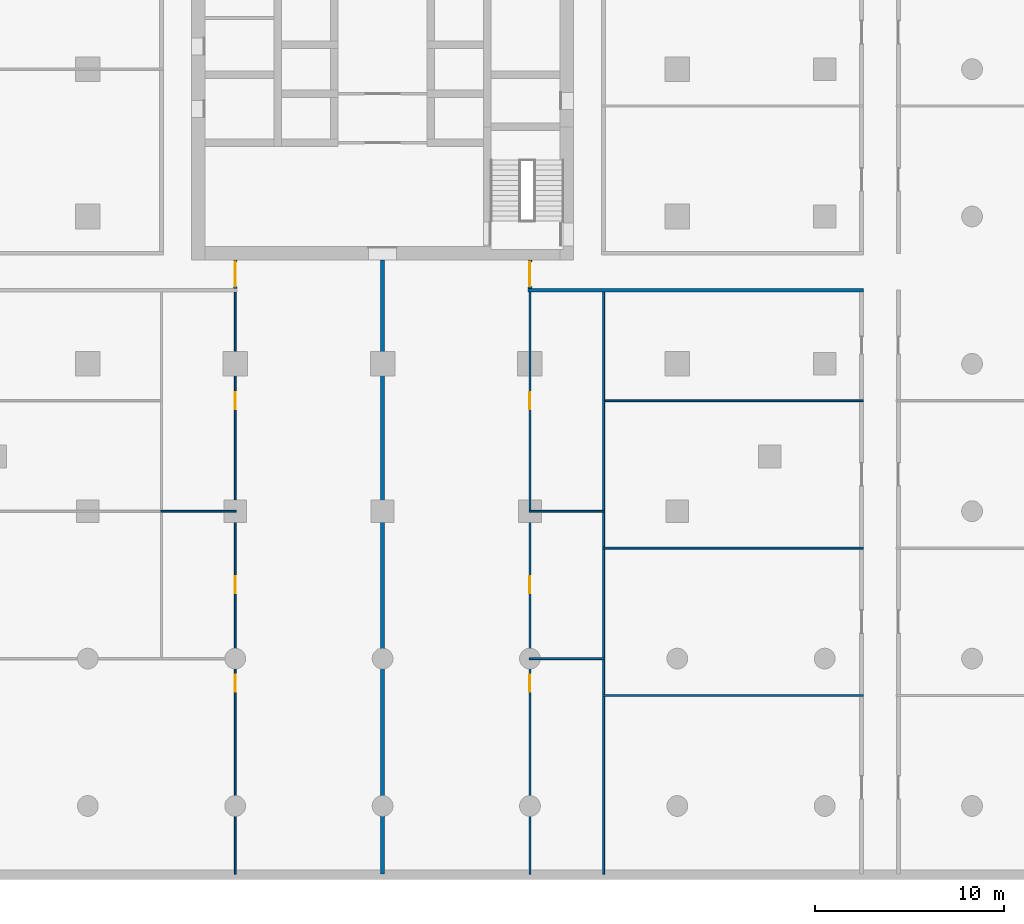
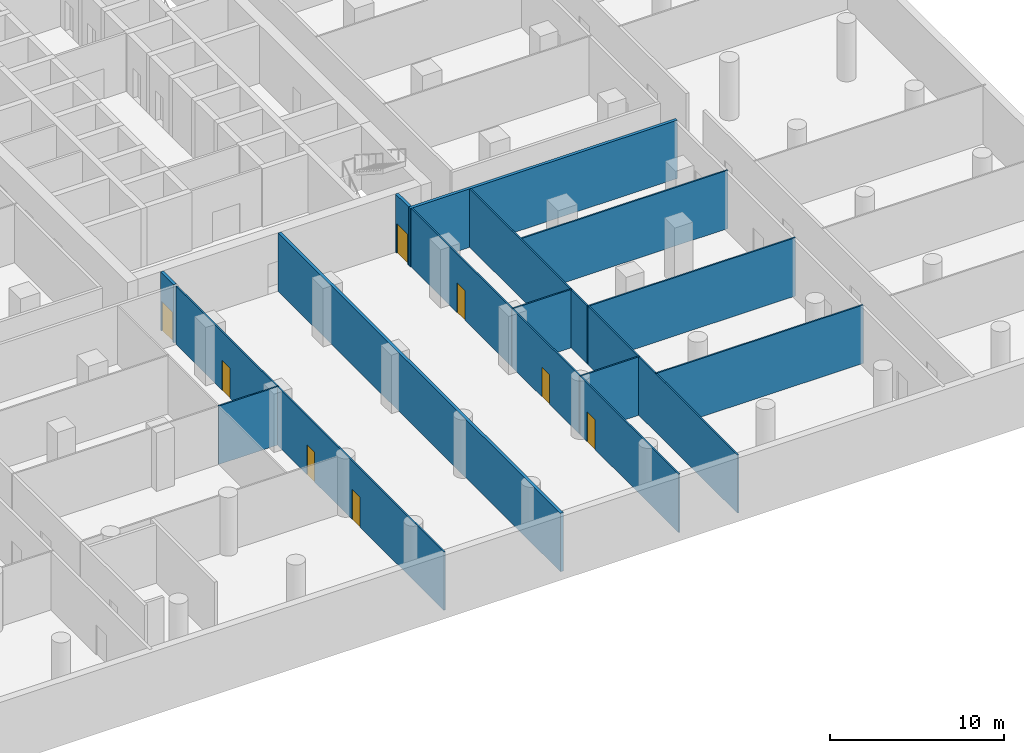
# One storey, part 4 of 14: 15 walls, 8 doors, 8 openings.
"""IFC4 building model written with IfcOpenShell, lengths in metres."""

from ifc_helpers import new_model, si_unit, direction, frame, frame_2d, origin, place, context, subcontext, project, spatial, rectangle, extrude, material, layer, layer_set, type_object, element, fill, save


model = new_model("IFC4")

# Units and contexts
model_context = context("Model", 3, precision=1e-05, world=origin(), true_north=direction((0.0, 1.0)))
body_context = subcontext(model_context, "Body", "Model", "MODEL_VIEW")
ifc_project = project(units=[si_unit("LENGTHUNIT", "METRE"), si_unit("AREAUNIT", "SQUARE_METRE"), si_unit("VOLUMEUNIT", "CUBIC_METRE"), si_unit("PLANEANGLEUNIT", "RADIAN"), si_unit("MASSUNIT", "GRAM", prefix="KILO")], contexts=[model_context])

# Site, building, storey
site_placement = place(None, origin())
site = spatial("IfcSite", under=ifc_project, at=site_placement, CompositionType="ELEMENT")
building_placement = place(site_placement, origin())
building = spatial("IfcBuilding", under=site, at=building_placement, Name="Ludao Terraces", CompositionType="ELEMENT")
storey_placement = place(building_placement, frame((0.0, 0.0, -4.5)))
storey = spatial("IfcBuildingStorey", under=building, at=storey_placement, Name="B1", CompositionType="ELEMENT", Elevation=-4.5)

# Wall
ifc_material_1 = material(Name="Autoclaved aerated concrete block B06 A3.5", Category="concrete")
ifc_layer_1 = layer(ifc_material_1, 0.199951171875)
ifc_layer_set_1 = layer_set([ifc_layer_1], Name="INT Entrance wall 200")
wall_type_1 = type_object("IfcWallType", Name="INT Entrance wall 200", PredefinedType="PARTITIONING", material=ifc_layer_set_1)
wall_1_placement = place(storey_placement, frame((92.7001953125, 53.300048828125, 0.0), z_axis=(0.0, 0.0, 1.0), x_axis=(1.0, 0.0, 0.0)))
element("IfcWall", 1, at=wall_1_placement, inside=storey, type_object=wall_type_1, Name="PW-B1-PW016", PredefinedType="PARTITIONING", context=body_context, shape_type="SweptSolid", body=[
    extrude(rectangle(XDim=17.75, YDim=0.199951171875, at=frame_2d((8.875, 0.0))), origin(), (0.0, 0.0, 1.0), 4.10009765625),
])

# Wall, opening, door
wall_2_placement = place(storey_placement, frame((77.199951171875, 53.400146484375, 0.0), z_axis=(0.0, 0.0, 1.0), x_axis=(0.0, 1.0, 0.0)))
wall_2 = element("IfcWall", 2, at=wall_2_placement, inside=storey, type_object=wall_type_1, Name="PW-B1-PW046", PredefinedType="PARTITIONING", context=body_context, shape_type="SweptSolid", body=[
    extrude(rectangle(XDim=1.5, YDim=0.199951171875, at=frame_2d((0.75, 0.0))), origin(), (0.0, 0.0, 1.0), 4.10009765625),
])
opening_1_placement = place(wall_2_placement, frame((0.10009765625, 0.0, 0.0)))
opening_1 = element("IfcOpeningElement", 3, at=opening_1_placement, cuts=wall_2, Name="Opening B1-023", PredefinedType="OPENING", context=body_context, shape_type="SweptSolid", body=[
    extrude(rectangle(XDim=1.300048828125, YDim=2.10009765625, at=frame_2d((0.64990234375, 1.050048828125))), frame((0.0, 0.10986328125, 0.0), z_axis=(0.0, -1.0, 0.0), x_axis=(1.0, 0.0, 0.0)), (0.0, 0.0, 1.0), 0.219970703125),
])
ifc_material_2 = material(Name="Steel Q235", Category="steel")
door_type_1 = type_object("IfcDoorType", Name="INT Lobby door 1300", OperationType="DOUBLE_DOOR_SINGLE_SWING", PredefinedType="DOOR", material=ifc_material_2)
door_1_placement = place(opening_1_placement, origin())
door_1 = element("IfcDoor", 4, at=door_1_placement, inside=storey, type_object=door_type_1, Name="DOOR 023", OperationType="DOUBLE_DOOR_SINGLE_SWING", OverallHeight=2.10009765625, OverallWidth=1.300048828125, PredefinedType="DOOR", context=body_context, shape_type="SweptSolid", body=[
    extrude(rectangle(XDim=1.300048828125, YDim=2.10009765625, at=frame_2d((0.64990234375, 1.050048828125))), frame((0.0, 0.02490234375, 0.0), z_axis=(0.0, -1.0, 0.0), x_axis=(1.0, 0.0, 0.0)), (0.0, 0.0, 1.0), 0.050048828125),
])
fill(opening_1, door_1)

# Wall
wall_3_placement = place(storey_placement, frame((85.0, 22.400146484375, 0.0), z_axis=(0.0, 0.0, 1.0), x_axis=(0.0, 1.0, 0.0)))
element("IfcWall", 5, at=wall_3_placement, inside=storey, type_object=wall_type_1, Name="PW-B1-PW047", PredefinedType="PARTITIONING", context=body_context, shape_type="SweptSolid", body=[
    extrude(rectangle(XDim=32.5, YDim=0.199951171875, at=frame_2d((16.25, 0.0))), origin(), (0.0, 0.0, 1.0), 4.10009765625),
])

# Wall, opening, door
wall_4_placement = place(storey_placement, frame((92.800048828125, 53.400146484375, 0.0), z_axis=(0.0, 0.0, 1.0), x_axis=(0.0, 1.0, 0.0)))
wall_4 = element("IfcWall", 6, at=wall_4_placement, inside=storey, type_object=wall_type_1, Name="PW-B1-PW051", PredefinedType="PARTITIONING", context=body_context, shape_type="SweptSolid", body=[
    extrude(rectangle(XDim=1.5, YDim=0.199951171875, at=frame_2d((0.75, 0.0))), origin(), (0.0, 0.0, 1.0), 4.10009765625),
])
opening_2_placement = place(wall_4_placement, frame((0.10009765625, 0.0, 0.0)))
opening_2 = element("IfcOpeningElement", 7, at=opening_2_placement, cuts=wall_4, Name="Opening B1-024", PredefinedType="OPENING", context=body_context, shape_type="SweptSolid", body=[
    extrude(rectangle(XDim=1.300048828125, YDim=2.10009765625, at=frame_2d((0.64990234375, 1.050048828125))), frame((0.0, 0.10986328125, 0.0), z_axis=(0.0, -1.0, 0.0), x_axis=(1.0, 0.0, 0.0)), (0.0, 0.0, 1.0), 0.219970703125),
])
door_2_placement = place(opening_2_placement, origin())
door_2 = element("IfcDoor", 8, at=door_2_placement, inside=storey, type_object=door_type_1, Name="DOOR 024", OperationType="DOUBLE_DOOR_SINGLE_SWING", OverallHeight=2.10009765625, OverallWidth=1.300048828125, PredefinedType="DOOR", context=body_context, shape_type="SweptSolid", body=[
    extrude(rectangle(XDim=1.300048828125, YDim=2.10009765625, at=frame_2d((0.64990234375, 1.050048828125))), frame((0.0, 0.02490234375, 0.0), z_axis=(0.0, -1.0, 0.0), x_axis=(1.0, 0.0, 0.0)), (0.0, 0.0, 1.0), 0.050048828125),
])
fill(opening_2, door_2)

# Walls
ifc_material_3 = material(Name="Gypsum plasterboard", Category="gypsum")
ifc_layer_2 = layer(ifc_material_3, 0.012451171875, Category="gypsum")
ifc_material_4 = material(Name="Mineral wool")
ifc_layer_3 = layer(ifc_material_4, 0.06005859375, Name="insulation")
ifc_layer_4 = layer(ifc_material_2, 0.014892578125, Name="stud")
ifc_layer_5 = layer(ifc_material_3, 0.012451171875, Category="gypsum")
ifc_layer_set_2 = layer_set([ifc_layer_2, ifc_layer_3, ifc_layer_4, ifc_layer_5], Name="INT Partition 100")
wall_type_2 = type_object("IfcWallType", Name="INT Partition 100", PredefinedType="PARTITIONING", material=ifc_layer_set_2)
wall_5_placement = place(storey_placement, frame((96.650146484375, 31.85009765625, 0.0), z_axis=(0.0, 0.0, 1.0), x_axis=(1.0, 0.0, 0.0)))
element("IfcWall", 9, at=wall_5_placement, inside=storey, type_object=wall_type_2, Name="PW-B1-PW000", PredefinedType="PARTITIONING", context=body_context, shape_type="SweptSolid", body=[
    extrude(rectangle(XDim=13.800048828125, YDim=0.10009765625, at=frame_2d((6.89990234375, 0.0))), origin(), (0.0, 0.0, 1.0), 4.10009765625),
])
wall_6_placement = place(storey_placement, frame((92.75, 33.800048828125, 0.0), z_axis=(0.0, 0.0, 1.0), x_axis=(1.0, 0.0, 0.0)))
element("IfcWall", 10, at=wall_6_placement, inside=storey, type_object=wall_type_2, Name="PW-B1-PW004", PredefinedType="PARTITIONING", context=body_context, shape_type="SweptSolid", body=[
    extrude(rectangle(XDim=4.0, YDim=0.10009765625, at=frame_2d((2.0, 0.0))), origin(), (0.0, 0.0, 1.0), 4.10009765625),
])
wall_7_placement = place(storey_placement, frame((96.650146484375, 39.64990234375, 0.0), z_axis=(0.0, 0.0, 1.0), x_axis=(1.0, 0.0, 0.0)))
element("IfcWall", 11, at=wall_7_placement, inside=storey, type_object=wall_type_2, Name="PW-B1-PW005", PredefinedType="PARTITIONING", context=body_context, shape_type="SweptSolid", body=[
    extrude(rectangle(XDim=13.800048828125, YDim=0.10009765625, at=frame_2d((6.89990234375, 0.0))), origin(), (0.0, 0.0, 1.0), 4.10009765625),
])
for number, where, z_axis, x_axis, name in (
    (12, (73.25, 41.60009765625, 0.0), (0.0, 0.0, 1.0), (1.0, 0.0, 0.0), "PW-B1-PW009"),
    (13, (92.75, 41.60009765625, 0.0), (0.0, 0.0, 1.0), (1.0, 0.0, 0.0), "PW-B1-PW010"),
):
    element("IfcWall", number, at=place(storey_placement, frame(where, z_axis=z_axis, x_axis=x_axis)), inside=storey, type_object=wall_type_2, Name=name, PredefinedType="PARTITIONING", context=body_context, shape_type="SweptSolid", body=[
        extrude(rectangle(XDim=4.0, YDim=0.10009765625, at=frame_2d((2.0, 0.0))), origin(), (0.0, 0.0, 1.0), 4.10009765625),
    ])
wall_8_placement = place(storey_placement, frame((96.650146484375, 47.449951171875, 0.0), z_axis=(0.0, 0.0, 1.0), x_axis=(1.0, 0.0, 0.0)))
element("IfcWall", 14, at=wall_8_placement, inside=storey, type_object=wall_type_2, Name="PW-B1-PW013", PredefinedType="PARTITIONING", context=body_context, shape_type="SweptSolid", body=[
    extrude(rectangle(XDim=13.800048828125, YDim=0.10009765625, at=frame_2d((6.89990234375, 0.0))), origin(), (0.0, 0.0, 1.0), 4.10009765625),
])

# Wall, openings, doors
wall_9_placement = place(storey_placement, frame((77.199951171875, 22.400146484375, 0.0), z_axis=(0.0, 0.0, 1.0), x_axis=(0.0, 1.0, 0.0)))
wall_9 = element("IfcWall", 15, at=wall_9_placement, inside=storey, type_object=wall_type_2, Name="PW-B1-PW045", PredefinedType="PARTITIONING", context=body_context, shape_type="SweptSolid", body=[
    extrude(rectangle(XDim=30.800048828125, YDim=0.10009765625, at=frame_2d((15.39990234375, 0.0))), origin(), (0.0, 0.0, 1.0), 4.10009765625),
])
opening_3_placement = place(wall_9_placement, frame((9.64990234375, 0.0, 0.0)))
opening_3 = element("IfcOpeningElement", 16, at=opening_3_placement, cuts=wall_9, Name="Opening B1-005", PredefinedType="OPENING", context=body_context, shape_type="SweptSolid", body=[
    extrude(rectangle(XDim=0.89990234375, YDim=2.10009765625, at=frame_2d((0.449951171875, 1.050048828125))), frame((0.0, 0.06005859375, 0.0), z_axis=(0.0, -1.0, 0.0), x_axis=(1.0, 0.0, 0.0)), (0.0, 0.0, 1.0), 0.1201171875),
])
opening_4_placement = place(wall_9_placement, frame((14.85009765625, 0.0, 0.0)))
opening_4 = element("IfcOpeningElement", 17, at=opening_4_placement, cuts=wall_9, Name="Opening B1-011", PredefinedType="OPENING", context=body_context, shape_type="SweptSolid", body=[
    extrude(rectangle(XDim=0.89990234375, YDim=2.10009765625, at=frame_2d((0.449951171875, 1.050048828125))), frame((0.0, 0.06005859375, 0.0), z_axis=(0.0, -1.0, 0.0), x_axis=(1.0, 0.0, 0.0)), (0.0, 0.0, 1.0), 0.1201171875),
])
opening_5_placement = place(wall_9_placement, frame((24.60009765625, 0.0, 0.0)))
opening_5 = element("IfcOpeningElement", 18, at=opening_5_placement, cuts=wall_9, Name="Opening B1-017", PredefinedType="OPENING", context=body_context, shape_type="SweptSolid", body=[
    extrude(rectangle(XDim=0.89990234375, YDim=2.10009765625, at=frame_2d((0.449951171875, 1.050048828125))), frame((0.0, 0.06005859375, 0.0), z_axis=(0.0, -1.0, 0.0), x_axis=(1.0, 0.0, 0.0)), (0.0, 0.0, 1.0), 0.1201171875),
])
ifc_material_5 = material(Name="Timber door leaf", Category="wood")
door_type_2 = type_object("IfcDoorType", Name="INT Room door 900", OperationType="SINGLE_SWING_LEFT", PredefinedType="DOOR", material=ifc_material_5)
door_3_placement = place(opening_3_placement, origin())
door_3 = element("IfcDoor", 19, at=door_3_placement, inside=storey, type_object=door_type_2, Name="DOOR 005", OperationType="SINGLE_SWING_RIGHT", OverallHeight=2.10009765625, OverallWidth=0.89990234375, PredefinedType="DOOR", context=body_context, shape_type="SweptSolid", body=[
    extrude(rectangle(XDim=0.89990234375, YDim=2.10009765625, at=frame_2d((0.449951171875, 1.050048828125))), frame((0.0, 0.02490234375, 0.0), z_axis=(0.0, -1.0, 0.0), x_axis=(1.0, 0.0, 0.0)), (0.0, 0.0, 1.0), 0.050048828125),
])
fill(opening_3, door_3)
door_4_placement = place(opening_4_placement, origin())
door_4 = element("IfcDoor", 20, at=door_4_placement, inside=storey, type_object=door_type_2, Name="DOOR 011", OperationType="SINGLE_SWING_LEFT", OverallHeight=2.10009765625, OverallWidth=0.89990234375, PredefinedType="DOOR", context=body_context, shape_type="SweptSolid", body=[
    extrude(rectangle(XDim=0.89990234375, YDim=2.10009765625, at=frame_2d((0.449951171875, 1.050048828125))), frame((0.0, 0.02490234375, 0.0), z_axis=(0.0, -1.0, 0.0), x_axis=(1.0, 0.0, 0.0)), (0.0, 0.0, 1.0), 0.050048828125),
])
fill(opening_4, door_4)
door_5_placement = place(opening_5_placement, origin())
door_5 = element("IfcDoor", 21, at=door_5_placement, inside=storey, type_object=door_type_2, Name="DOOR 017", OperationType="SINGLE_SWING_RIGHT", OverallHeight=2.10009765625, OverallWidth=0.89990234375, PredefinedType="DOOR", context=body_context, shape_type="SweptSolid", body=[
    extrude(rectangle(XDim=0.89990234375, YDim=2.10009765625, at=frame_2d((0.449951171875, 1.050048828125))), frame((0.0, 0.02490234375, 0.0), z_axis=(0.0, -1.0, 0.0), x_axis=(1.0, 0.0, 0.0)), (0.0, 0.0, 1.0), 0.050048828125),
])
fill(opening_5, door_5)

wall_10_placement = place(storey_placement, frame((92.800048828125, 22.400146484375, 0.0), z_axis=(0.0, 0.0, 1.0), x_axis=(0.0, 1.0, 0.0)))
wall_10 = element("IfcWall", 22, at=wall_10_placement, inside=storey, type_object=wall_type_2, Name="PW-B1-PW049", PredefinedType="PARTITIONING", context=body_context, shape_type="SweptSolid", body=[
    extrude(rectangle(XDim=19.14990234375, YDim=0.10009765625, at=frame_2d((9.574951171875, 0.0))), origin(), (0.0, 0.0, 1.0), 4.10009765625),
])
opening_6_placement = place(wall_10_placement, frame((9.64990234375, 0.0, 0.0)))
opening_6 = element("IfcOpeningElement", 23, at=opening_6_placement, cuts=wall_10, Name="Opening B1-006", PredefinedType="OPENING", context=body_context, shape_type="SweptSolid", body=[
    extrude(rectangle(XDim=0.89990234375, YDim=2.10009765625, at=frame_2d((0.449951171875, 1.050048828125))), frame((0.0, 0.06005859375, 0.0), z_axis=(0.0, -1.0, 0.0), x_axis=(1.0, 0.0, 0.0)), (0.0, 0.0, 1.0), 0.1201171875),
])
opening_7_placement = place(wall_10_placement, frame((14.85009765625, 0.0, 0.0)))
opening_7 = element("IfcOpeningElement", 24, at=opening_7_placement, cuts=wall_10, Name="Opening B1-012", PredefinedType="OPENING", context=body_context, shape_type="SweptSolid", body=[
    extrude(rectangle(XDim=0.89990234375, YDim=2.10009765625, at=frame_2d((0.449951171875, 1.050048828125))), frame((0.0, 0.06005859375, 0.0), z_axis=(0.0, -1.0, 0.0), x_axis=(1.0, 0.0, 0.0)), (0.0, 0.0, 1.0), 0.1201171875),
])
door_6_placement = place(opening_6_placement, origin())
door_6 = element("IfcDoor", 25, at=door_6_placement, inside=storey, type_object=door_type_2, Name="DOOR 006", OperationType="SINGLE_SWING_LEFT", OverallHeight=2.10009765625, OverallWidth=0.89990234375, PredefinedType="DOOR", context=body_context, shape_type="SweptSolid", body=[
    extrude(rectangle(XDim=0.89990234375, YDim=2.10009765625, at=frame_2d((0.449951171875, 1.050048828125))), frame((0.0, 0.02490234375, 0.0), z_axis=(0.0, -1.0, 0.0), x_axis=(1.0, 0.0, 0.0)), (0.0, 0.0, 1.0), 0.050048828125),
])
fill(opening_6, door_6)
door_7_placement = place(opening_7_placement, origin())
door_7 = element("IfcDoor", 26, at=door_7_placement, inside=storey, type_object=door_type_2, Name="DOOR 012", OperationType="SINGLE_SWING_LEFT", OverallHeight=2.10009765625, OverallWidth=0.89990234375, PredefinedType="DOOR", context=body_context, shape_type="SweptSolid", body=[
    extrude(rectangle(XDim=0.89990234375, YDim=2.10009765625, at=frame_2d((0.449951171875, 1.050048828125))), frame((0.0, 0.02490234375, 0.0), z_axis=(0.0, -1.0, 0.0), x_axis=(1.0, 0.0, 0.0)), (0.0, 0.0, 1.0), 0.050048828125),
])
fill(opening_7, door_7)

# Wall, opening, door
wall_11_placement = place(storey_placement, frame((92.800048828125, 41.650146484375, 0.0), z_axis=(0.0, 0.0, 1.0), x_axis=(0.0, 1.0, 0.0)))
wall_11 = element("IfcWall", 27, at=wall_11_placement, inside=storey, type_object=wall_type_2, Name="PW-B1-PW050", PredefinedType="PARTITIONING", context=body_context, shape_type="SweptSolid", body=[
    extrude(rectangle(XDim=11.550048828125, YDim=0.10009765625, at=frame_2d((5.77490234375, 0.0))), origin(), (0.0, 0.0, 1.0), 4.10009765625),
])
opening_8_placement = place(wall_11_placement, frame((5.35009765625, 0.0, 0.0)))
opening_8 = element("IfcOpeningElement", 28, at=opening_8_placement, cuts=wall_11, Name="Opening B1-018", PredefinedType="OPENING", context=body_context, shape_type="SweptSolid", body=[
    extrude(rectangle(XDim=0.89990234375, YDim=2.10009765625, at=frame_2d((0.449951171875, 1.050048828125))), frame((0.0, 0.06005859375, 0.0), z_axis=(0.0, -1.0, 0.0), x_axis=(1.0, 0.0, 0.0)), (0.0, 0.0, 1.0), 0.1201171875),
])
door_8_placement = place(opening_8_placement, origin())
door_8 = element("IfcDoor", 29, at=door_8_placement, inside=storey, type_object=door_type_2, Name="DOOR 018", OperationType="SINGLE_SWING_RIGHT", OverallHeight=2.10009765625, OverallWidth=0.89990234375, PredefinedType="DOOR", context=body_context, shape_type="SweptSolid", body=[
    extrude(rectangle(XDim=0.89990234375, YDim=2.10009765625, at=frame_2d((0.449951171875, 1.050048828125))), frame((0.0, 0.02490234375, 0.0), z_axis=(0.0, -1.0, 0.0), x_axis=(1.0, 0.0, 0.0)), (0.0, 0.0, 1.0), 0.050048828125),
])
fill(opening_8, door_8)

# Walls
wall_12_placement = place(storey_placement, frame((96.699951171875, 22.400146484375, 0.0), z_axis=(0.0, 0.0, 1.0), x_axis=(0.0, 1.0, 0.0)))
element("IfcWall", 30, at=wall_12_placement, inside=storey, type_object=wall_type_2, Name="PW-B1-PW053", PredefinedType="PARTITIONING", context=body_context, shape_type="SweptSolid", body=[
    extrude(rectangle(XDim=17.199951171875, YDim=0.10009765625, at=frame_2d((8.60009765625, 0.0))), origin(), (0.0, 0.0, 1.0), 4.10009765625),
])
wall_13_placement = place(storey_placement, frame((96.699951171875, 39.7001953125, 0.0), z_axis=(0.0, 0.0, 1.0), x_axis=(0.0, 1.0, 0.0)))
element("IfcWall", 31, at=wall_13_placement, inside=storey, type_object=wall_type_2, Name="PW-B1-PW054", PredefinedType="PARTITIONING", context=body_context, shape_type="SweptSolid", body=[
    extrude(rectangle(XDim=13.5, YDim=0.10009765625, at=frame_2d((6.75, 0.0))), origin(), (0.0, 0.0, 1.0), 4.10009765625),
])

save(model, "model.ifc")
